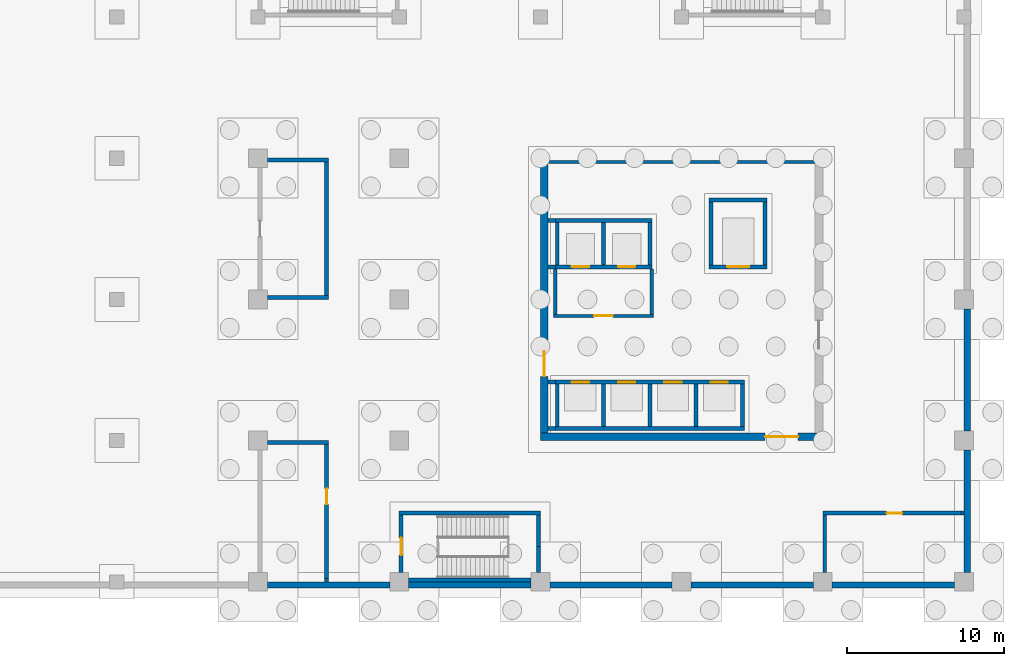
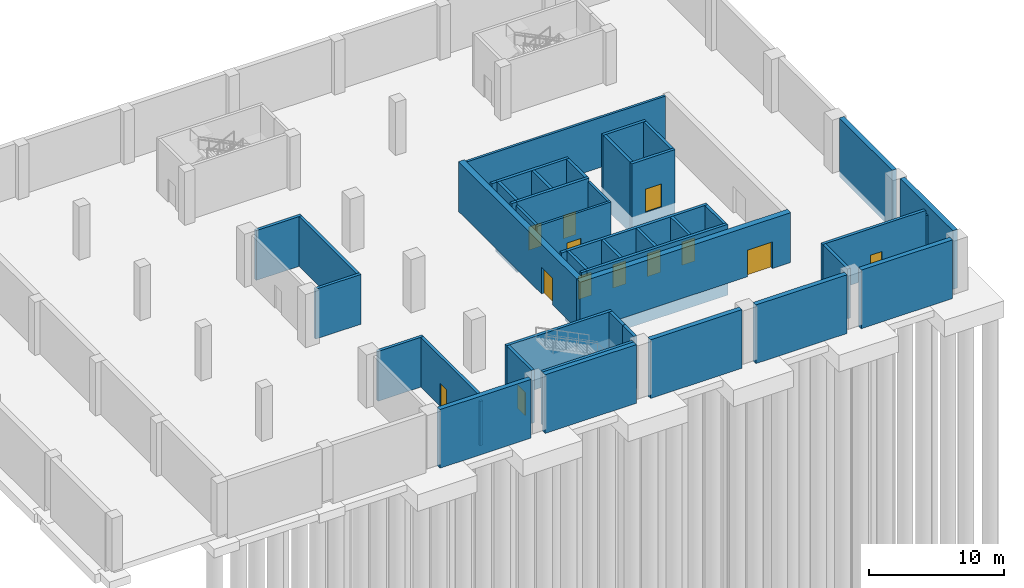
# One storey, part 12 of 17: 47 walls, 13 doors, 13 openings.
"""IFC4 building model written with IfcOpenShell, lengths in metres."""

from ifc_helpers import new_model, si_unit, direction, frame, frame_2d, origin, place, context, subcontext, project, spatial, rectangle, extrude, material, layer, layer_set, type_object, element, fill, save


model = new_model("IFC4")

# Units and contexts
model_context = context("Model", 3, precision=1e-05, world=origin(), true_north=direction((0.0, 1.0)))
body_context = subcontext(model_context, "Body", "Model", "MODEL_VIEW")
ifc_project = project(units=[si_unit("LENGTHUNIT", "METRE"), si_unit("AREAUNIT", "SQUARE_METRE"), si_unit("VOLUMEUNIT", "CUBIC_METRE"), si_unit("PLANEANGLEUNIT", "RADIAN"), si_unit("MASSUNIT", "GRAM", prefix="KILO")], contexts=[model_context])

# Site, building, storey
site_placement = place(None, origin())
site = spatial("IfcSite", under=ifc_project, at=site_placement, CompositionType="ELEMENT")
building_placement = place(site_placement, origin())
building = spatial("IfcBuilding", under=site, at=building_placement, Name="Guidao Yard Department Store", CompositionType="ELEMENT")
storey_placement = place(building_placement, frame((0.0, 0.0, -9.89990234375)))
storey = spatial("IfcBuildingStorey", under=building, at=storey_placement, Name="B2", CompositionType="ELEMENT", Elevation=-9.89990234375)

# Walls
ifc_material_1 = material(Name="Concrete C40", Category="concrete")
ifc_layer_1 = layer(ifc_material_1, 0.39990234375)
ifc_layer_set_1 = layer_set([ifc_layer_1], Name="Retaining wall 400 C40")
wall_type_1 = type_object("IfcWallType", Name="Retaining wall 400 C40", PredefinedType="SOLIDWALL", material=ifc_layer_set_1)
for number, where, z_axis, x_axis, name in (
    (1, (126.60009765625, -0.199951171875, -0.5), (0.0, 0.0, 1.0), (1.0, 0.0, 0.0), "Retaining wall B2-003"),
    (2, (135.60009765625, -0.199951171875, -0.5), (0.0, 0.0, 1.0), (1.0, 0.0, 0.0), "Retaining wall B2-004"),
    (3, (144.60009765625, -0.199951171875, -0.5), (0.0, 0.0, 1.0), (1.0, 0.0, 0.0), "Retaining wall B2-005"),
    (4, (153.60009765625, -0.199951171875, -0.5), (0.0, 0.0, 1.0), (1.0, 0.0, 0.0), "Retaining wall B2-006"),
    (5, (162.60009765625, -0.199951171875, -0.5), (0.0, 0.0, 1.0), (1.0, 0.0, 0.0), "Retaining wall B2-007"),
    (6, (171.199951171875, 0.60009765625, -0.5), (0.0, 0.0, 1.0), (0.0, 1.0, 0.0), "Retaining wall B2-009"),
    (7, (171.199951171875, 9.60009765625, -0.5), (0.0, 0.0, 1.0), (0.0, 1.0, 0.0), "Retaining wall B2-011"),
):
    element("IfcWall", number, at=place(storey_placement, frame(where, z_axis=z_axis, x_axis=x_axis)), inside=storey, type_object=wall_type_1, Name=name, PredefinedType="SOLIDWALL", context=body_context, shape_type="SweptSolid", body=[
        extrude(rectangle(XDim=7.7998046875, YDim=0.39990234375, at=frame_2d((3.89990234375, 0.0))), origin(), (0.0, 0.0, 1.0), 5.2998046875),
    ])

# Wall, opening, door
ifc_material_2 = material(Name="Autoclaved aerated concrete block A3.5 B06", Category="concrete")
ifc_layer_2 = layer(ifc_material_2, 0.199951171875)
ifc_layer_set_2 = layer_set([ifc_layer_2], Name="Shaft Wall 200 Autoclaved Block EI 120")
wall_type_2 = type_object("IfcWallType", Name="Shaft Wall 200 Autoclaved Block EI 120", PredefinedType="PARTITIONING", material=ifc_layer_set_2)
wall_1_placement = place(storey_placement, frame((144.85009765625, 16.949951171875, 0.0), z_axis=(0.0, 0.0, 1.0), x_axis=(1.0, 0.0, 0.0)))
wall_1 = element("IfcWall", 8, at=wall_1_placement, inside=storey, type_object=wall_type_2, Name="pt.wall.B2.0004", PredefinedType="PARTITIONING", context=body_context, shape_type="SweptSolid", body=[
    extrude(rectangle(XDim=6.349853515625, YDim=0.199951171875, at=frame_2d((3.1748046875, 0.0))), origin(), (0.0, 0.0, 1.0), 4.5),
])
opening_1_placement = place(wall_1_placement, frame((3.77490234375, 0.0, 0.0), z_axis=(0.0, 0.0, 1.0), x_axis=(-1.0, 0.0, 0.0)))
opening_1 = element("IfcOpeningElement", 9, at=opening_1_placement, cuts=wall_1, Name="Opening B2-400", PredefinedType="OPENING", context=body_context, shape_type="SweptSolid", body=[
    extrude(rectangle(XDim=1.199951171875, YDim=2.10009765625, at=frame_2d((0.60009765625, 1.050048828125))), frame((0.0, 0.10986328125, 0.0), z_axis=(0.0, -1.0, 0.0), x_axis=(1.0, 0.0, 0.0)), (0.0, 0.0, 1.0), 0.219970703125),
])
ifc_material_3 = material(Name="Timber door leaf with Steel Q235 frame", Category="steel")
door_type_1 = type_object("IfcDoorType", Name="Door 1200 x 2100 FD60 Single Leaf", OperationType="SINGLE_SWING_LEFT", PredefinedType="DOOR", material=ifc_material_3)
door_1_placement = place(opening_1_placement, origin())
door_1 = element("IfcDoor", 10, at=door_1_placement, inside=storey, type_object=door_type_1, Name="Door B2-400", OperationType="SINGLE_SWING_LEFT", OverallHeight=2.10009765625, OverallWidth=1.199951171875, PredefinedType="DOOR", context=body_context, shape_type="SweptSolid", body=[
    extrude(rectangle(XDim=1.199951171875, YDim=2.10009765625, at=frame_2d((0.60009765625, 1.050048828125))), frame((0.0, 0.02490234375, 0.0), z_axis=(0.0, -1.0, 0.0), x_axis=(1.0, 0.0, 0.0)), (0.0, 0.0, 1.0), 0.050048828125),
])
fill(opening_1, door_1)

# Walls
wall_2_placement = place(storey_placement, frame((144.5, 26.75, 0.0), z_axis=(0.0, 0.0, 1.0), x_axis=(1.0, 0.0, 0.0)))
element("IfcWall", 11, at=wall_2_placement, inside=storey, type_object=wall_type_2, Name="pt.wall.B2.0006", PredefinedType="PARTITIONING", context=body_context, shape_type="SweptSolid", body=[
    extrude(rectangle(XDim=17.0, YDim=0.199951171875, at=frame_2d((8.5, 0.0))), origin(), (0.0, 0.0, 1.0), 4.5),
])
for number, where, z_axis, x_axis, name in (
    (12, (144.949951171875, 17.050048828125, 0.0), (0.0, 0.0, 1.0), (0.0, 1.0, 0.0), "pt.wall.B2.0073"),
    (13, (151.10009765625, 17.050048828125, 0.0), (0.0, 0.0, 1.0), (0.0, 1.0, 0.0), "pt.wall.B2.0074"),
):
    element("IfcWall", number, at=place(storey_placement, frame(where, z_axis=z_axis, x_axis=x_axis)), inside=storey, type_object=wall_type_2, Name=name, PredefinedType="PARTITIONING", context=body_context, shape_type="SweptSolid", body=[
        extrude(rectangle(XDim=2.89990234375, YDim=0.199951171875, at=frame_2d((1.449951171875, 0.0))), origin(), (0.0, 0.0, 1.0), 4.5),
    ])

# Wall, opening, door
ifc_material_4 = material(Name="Concrete C60", Category="concrete")
ifc_layer_3 = layer(ifc_material_4, 0.5)
ifc_layer_set_3 = layer_set([ifc_layer_3], Name="Shear Wall 500 Concrete C60")
wall_type_3 = type_object("IfcWallType", Name="Shear Wall 500 Concrete C60", PredefinedType="SHEAR", material=ifc_layer_set_3)
wall_3_placement = place(storey_placement, frame((144.0, 9.25, 0.0), z_axis=(0.0, 0.0, 1.0), x_axis=(1.0, 0.0, 0.0)))
wall_3 = element("IfcWall", 14, at=wall_3_placement, inside=storey, type_object=wall_type_3, Name="pt.wall.B2.0003", PredefinedType="SHEAR", context=body_context, shape_type="SweptSolid", body=[
    extrude(rectangle(XDim=18.0, YDim=0.5, at=frame_2d((9.0, 0.0))), origin(), (0.0, 0.0, 1.0), 4.5),
])
opening_2_placement = place(wall_3_placement, frame((16.425048828125, 0.0, 0.0), z_axis=(0.0, 0.0, 1.0), x_axis=(-1.0, 0.0, 0.0)))
opening_2 = element("IfcOpeningElement", 15, at=opening_2_placement, cuts=wall_3, Name="Opening B2-403", PredefinedType="OPENING", context=body_context, shape_type="SweptSolid", body=[
    extrude(rectangle(XDim=2.10009765625, YDim=2.39990234375, at=frame_2d((1.050048828125, 1.199951171875))), frame((0.0, 0.260009765625, 0.0), z_axis=(0.0, -1.0, 0.0), x_axis=(1.0, 0.0, 0.0)), (0.0, 0.0, 1.0), 0.52001953125),
])
ifc_material_5 = material(Name="Timber door leaf with Steel Q235 frame", Category="steel")
door_type_2 = type_object("IfcDoorType", Name="Door 2100 x 2400 FD60 Double Leaf", OperationType="DOUBLE_DOOR_SINGLE_SWING", PredefinedType="DOOR", material=ifc_material_5)
door_2_placement = place(opening_2_placement, origin())
door_2 = element("IfcDoor", 16, at=door_2_placement, inside=storey, type_object=door_type_2, Name="Door B2-403", OperationType="DOUBLE_DOOR_SINGLE_SWING", OverallHeight=2.39990234375, OverallWidth=2.10009765625, PredefinedType="DOOR", context=body_context, shape_type="SweptSolid", body=[
    extrude(rectangle(XDim=2.10009765625, YDim=2.39990234375, at=frame_2d((1.050048828125, 1.199951171875))), frame((0.0, 0.02490234375, 0.0), z_axis=(0.0, -1.0, 0.0), x_axis=(1.0, 0.0, 0.0)), (0.0, 0.0, 1.0), 0.050048828125),
])
fill(opening_2, door_2)

wall_4_placement = place(storey_placement, frame((144.25, 9.5, 0.0), z_axis=(0.0, 0.0, 1.0), x_axis=(0.0, 1.0, 0.0)))
wall_4 = element("IfcWall", 17, at=wall_4_placement, inside=storey, type_object=wall_type_3, Name="pt.wall.B2.0072", PredefinedType="SHEAR", context=body_context, shape_type="SweptSolid", body=[
    extrude(rectangle(XDim=17.5, YDim=0.5, at=frame_2d((8.75, 0.0))), origin(), (0.0, 0.0, 1.0), 4.5),
])
opening_3_placement = place(wall_4_placement, frame((3.60009765625, 0.0, 0.0)))
opening_3 = element("IfcOpeningElement", 18, at=opening_3_placement, cuts=wall_4, Name="Opening B2-401", PredefinedType="OPENING", context=body_context, shape_type="SweptSolid", body=[
    extrude(rectangle(XDim=1.60009765625, YDim=2.39990234375, at=frame_2d((0.800048828125, 1.199951171875))), frame((0.0, 0.260009765625, 0.0), z_axis=(0.0, -1.0, 0.0), x_axis=(1.0, 0.0, 0.0)), (0.0, 0.0, 1.0), 0.52001953125),
])
ifc_material_6 = material(Name="Timber door leaf with Steel Q235 frame", Category="steel")
door_type_3 = type_object("IfcDoorType", Name="Door 1600 x 2400 FD60 Double Leaf", OperationType="DOUBLE_DOOR_SINGLE_SWING", PredefinedType="DOOR", material=ifc_material_6)
door_3_placement = place(opening_3_placement, origin())
door_3 = element("IfcDoor", 19, at=door_3_placement, inside=storey, type_object=door_type_3, Name="Door B2-401", OperationType="DOUBLE_DOOR_SINGLE_SWING", OverallHeight=2.39990234375, OverallWidth=1.60009765625, PredefinedType="DOOR", context=body_context, shape_type="SweptSolid", body=[
    extrude(rectangle(XDim=1.60009765625, YDim=2.39990234375, at=frame_2d((0.800048828125, 1.199951171875))), frame((0.0, 0.02490234375, 0.0), z_axis=(0.0, -1.0, 0.0), x_axis=(1.0, 0.0, 0.0)), (0.0, 0.0, 1.0), 0.050048828125),
])
fill(opening_3, door_3)

ifc_material_7 = material(Name="Concrete C40", Category="concrete")
ifc_layer_4 = layer(ifc_material_7, 0.25)
ifc_layer_set_4 = layer_set([ifc_layer_4], Name="Support Wall 250 Concrete C40")
wall_type_4 = type_object("IfcWallType", Name="Support Wall 250 Concrete C40", PredefinedType="SOLIDWALL", material=ifc_layer_set_4)
wall_5_placement = place(storey_placement, frame((162.0, 4.375, 0.0), z_axis=(0.0, 0.0, 1.0), x_axis=(1.0, 0.0, 0.0)))
wall_5 = element("IfcWall", 20, at=wall_5_placement, inside=storey, type_object=wall_type_4, Name="pt.wall.B2.0001", PredefinedType="SOLIDWALL", context=body_context, shape_type="SweptSolid", body=[
    extrude(rectangle(XDim=8.800048828125, YDim=0.25, at=frame_2d((4.39990234375, 0.0))), origin(), (0.0, 0.0, 1.0), 4.5),
])
opening_4_placement = place(wall_5_placement, frame((5.0625, 0.0, 0.0), z_axis=(0.0, 0.0, 1.0), x_axis=(-1.0, 0.0, 0.0)))
opening_4 = element("IfcOpeningElement", 21, at=opening_4_placement, cuts=wall_5, Name="Opening B2-417", PredefinedType="OPENING", context=body_context, shape_type="SweptSolid", body=[
    extrude(rectangle(XDim=1.0, YDim=2.10009765625, at=frame_2d((0.5, 1.050048828125))), frame((0.0, 0.135009765625, 0.0), z_axis=(0.0, -1.0, 0.0), x_axis=(1.0, 0.0, 0.0)), (0.0, 0.0, 1.0), 0.27001953125),
])
ifc_material_8 = material(Name="Timber door leaf with Steel Q235 frame", Category="steel")
door_type_4 = type_object("IfcDoorType", Name="Door 1000 x 2100 FD60 Single Leaf", OperationType="SINGLE_SWING_LEFT", PredefinedType="DOOR", material=ifc_material_8)
door_4_placement = place(opening_4_placement, origin())
door_4 = element("IfcDoor", 22, at=door_4_placement, inside=storey, type_object=door_type_4, Name="Door B2-417", OperationType="SINGLE_SWING_LEFT", OverallHeight=2.10009765625, OverallWidth=1.0, PredefinedType="DOOR", context=body_context, shape_type="SweptSolid", body=[
    extrude(rectangle(XDim=1.0, YDim=2.10009765625, at=frame_2d((0.5, 1.050048828125))), frame((0.0, 0.02490234375, 0.0), z_axis=(0.0, -1.0, 0.0), x_axis=(1.0, 0.0, 0.0)), (0.0, 0.0, 1.0), 0.050048828125),
])
fill(opening_4, door_4)

# Walls
wall_6_placement = place(storey_placement, frame((170.800048828125, 4.375, 0.0), z_axis=(0.0, 0.0, 1.0), x_axis=(1.0, 0.0, 0.0)))
element("IfcWall", 23, at=wall_6_placement, inside=storey, type_object=wall_type_4, Name="pt.wall.B2.0001a", PredefinedType="SOLIDWALL", context=body_context, shape_type="SweptSolid", body=[
    extrude(rectangle(XDim=0.199951171875, YDim=0.25, at=frame_2d((0.10009765625, 0.0))), origin(), (0.0, 0.0, 1.0), 4.0),
])
for number, where, z_axis, x_axis, name in (
    (24, (126.60009765625, 8.875, 0.0), (0.0, 0.0, 1.0), (1.0, 0.0, 0.0), "pt.wall.B2.0002"),
    (25, (126.60009765625, 18.125, 0.0), (0.0, 0.0, 1.0), (1.0, 0.0, 0.0), "pt.wall.B2.0005"),
    (26, (126.60009765625, 26.875, 0.0), (0.0, 0.0, 1.0), (1.0, 0.0, 0.0), "pt.wall.B2.0007"),
):
    element("IfcWall", number, at=place(storey_placement, frame(where, z_axis=z_axis, x_axis=x_axis)), inside=storey, type_object=wall_type_4, Name=name, PredefinedType="SOLIDWALL", context=body_context, shape_type="SweptSolid", body=[
        extrude(rectangle(XDim=3.89990234375, YDim=0.25, at=frame_2d((1.949951171875, 0.0))), origin(), (0.0, 0.0, 1.0), 4.5),
    ])
wall_7_placement = place(storey_placement, frame((130.375, 0.0, 0.0), z_axis=(0.0, 0.0, 1.0), x_axis=(0.0, 1.0, 0.0)))
element("IfcWall", 27, at=wall_7_placement, inside=storey, type_object=wall_type_4, Name="pt.wall.B2.0070", PredefinedType="SOLIDWALL", context=body_context, shape_type="SweptSolid", body=[
    extrude(rectangle(XDim=0.199951171875, YDim=0.25, at=frame_2d((0.10009765625, 0.0))), origin(), (0.0, 0.0, 1.0), 4.0),
])

# Wall, opening, door
wall_8_placement = place(storey_placement, frame((130.375, 0.199951171875, 0.0), z_axis=(0.0, 0.0, 1.0), x_axis=(0.0, 1.0, 0.0)))
wall_8 = element("IfcWall", 28, at=wall_8_placement, inside=storey, type_object=wall_type_4, Name="pt.wall.B2.0070a", PredefinedType="SOLIDWALL", context=body_context, shape_type="SweptSolid", body=[
    extrude(rectangle(XDim=8.550048828125, YDim=0.25, at=frame_2d((4.27490234375, 0.0))), origin(), (0.0, 0.0, 1.0), 4.5),
])
opening_5_placement = place(wall_8_placement, frame((4.737548828125, 0.0, 0.0)))
opening_5 = element("IfcOpeningElement", 29, at=opening_5_placement, cuts=wall_8, Name="Opening B2-416", PredefinedType="OPENING", context=body_context, shape_type="SweptSolid", body=[
    extrude(rectangle(XDim=1.0, YDim=2.10009765625, at=frame_2d((0.5, 1.050048828125))), frame((0.0, 0.135009765625, 0.0), z_axis=(0.0, -1.0, 0.0), x_axis=(1.0, 0.0, 0.0)), (0.0, 0.0, 1.0), 0.27001953125),
])
door_5_placement = place(opening_5_placement, origin())
door_5 = element("IfcDoor", 30, at=door_5_placement, inside=storey, type_object=door_type_4, Name="Door B2-416", OperationType="SINGLE_SWING_RIGHT", OverallHeight=2.10009765625, OverallWidth=1.0, PredefinedType="DOOR", context=body_context, shape_type="SweptSolid", body=[
    extrude(rectangle(XDim=1.0, YDim=2.10009765625, at=frame_2d((0.5, 1.050048828125))), frame((0.0, 0.02490234375, 0.0), z_axis=(0.0, -1.0, 0.0), x_axis=(1.0, 0.0, 0.0)), (0.0, 0.0, 1.0), 0.050048828125),
])
fill(opening_5, door_5)

# Walls
wall_9_placement = place(storey_placement, frame((130.375, 18.25, 0.0), z_axis=(0.0, 0.0, 1.0), x_axis=(0.0, 1.0, 0.0)))
element("IfcWall", 31, at=wall_9_placement, inside=storey, type_object=wall_type_4, Name="pt.wall.B2.0071", PredefinedType="SOLIDWALL", context=body_context, shape_type="SweptSolid", body=[
    extrude(rectangle(XDim=8.5, YDim=0.25, at=frame_2d((4.25, 0.0))), origin(), (0.0, 0.0, 1.0), 4.5),
])
wall_10_placement = place(storey_placement, frame((162.125, 0.60009765625, 0.0), z_axis=(0.0, 0.0, 1.0), x_axis=(0.0, 1.0, 0.0)))
element("IfcWall", 32, at=wall_10_placement, inside=storey, type_object=wall_type_4, Name="pt.wall.B2.0076", PredefinedType="SOLIDWALL", context=body_context, shape_type="SweptSolid", body=[
    extrude(rectangle(XDim=3.64990234375, YDim=0.25, at=frame_2d((1.824951171875, 0.0))), origin(), (0.0, 0.0, 1.0), 4.5),
])
ifc_material_9 = material(Name="Concrete C40", Category="concrete")
ifc_layer_5 = layer(ifc_material_9, 0.25)
ifc_layer_set_5 = layer_set([ifc_layer_5], Name="Wall RC 250 C40 stair and shaft")
wall_type_5 = type_object("IfcWallType", Name="Wall RC 250 C40 stair and shaft", PredefinedType="SHEAR", material=ifc_layer_set_5)
wall_11_placement = place(storey_placement, frame((135.60009765625, 0.125, 0.0), z_axis=(0.0, 0.0, 1.0), x_axis=(1.0, 0.0, 0.0)))
element("IfcWall", 33, at=wall_11_placement, inside=storey, type_object=wall_type_5, Name="Stair wall BSO1", PredefinedType="SHEAR", context=body_context, shape_type="SweptSolid", body=[
    extrude(rectangle(XDim=7.7998046875, YDim=0.25, at=frame_2d((3.89990234375, 0.0))), origin(), (0.0, 0.0, 1.0), 4.7998046875),
])
wall_12_placement = place(storey_placement, frame((135.0, 4.375, 0.0), z_axis=(0.0, 0.0, 1.0), x_axis=(1.0, 0.0, 0.0)))
element("IfcWall", 34, at=wall_12_placement, inside=storey, type_object=wall_type_5, Name="Stair wall BSO1", PredefinedType="SHEAR", context=body_context, shape_type="SweptSolid", body=[
    extrude(rectangle(XDim=9.0, YDim=0.25, at=frame_2d((4.5, 0.0))), origin(), (0.0, 0.0, 1.0), 4.7998046875),
])

# Wall, opening, door
wall_13_placement = place(storey_placement, frame((135.125, 0.60009765625, 0.0), z_axis=(0.0, 0.0, 1.0), x_axis=(0.0, 1.0, 0.0)))
wall_13 = element("IfcWall", 35, at=wall_13_placement, inside=storey, type_object=wall_type_5, Name="Stair wall BSO1", PredefinedType="SHEAR", context=body_context, shape_type="SweptSolid", body=[
    extrude(rectangle(XDim=3.64990234375, YDim=0.25, at=frame_2d((1.824951171875, 0.0))), origin(), (0.0, 0.0, 1.0), 4.7998046875),
])
opening_6_placement = place(wall_13_placement, frame((2.2001953125, 0.0, 0.0), z_axis=(0.0, 0.0, 1.0), x_axis=(-1.0, 0.0, 0.0)))
opening_6 = element("IfcOpeningElement", 36, at=opening_6_placement, cuts=wall_13, Name="Opening B2-805", PredefinedType="OPENING", context=body_context, shape_type="SweptSolid", body=[
    extrude(rectangle(XDim=1.10009765625, YDim=2.10009765625, at=frame_2d((0.550048828125, 1.050048828125))), frame((0.0, 0.135009765625, 0.0), z_axis=(0.0, -1.0, 0.0), x_axis=(1.0, 0.0, 0.0)), (0.0, 0.0, 1.0), 0.27001953125),
])
ifc_material_10 = material(Name="Steel Q235", Category="steel")
door_type_5 = type_object("IfcDoorType", Name="Door fire-resisting 1100 x 2100 FD60", OperationType="SINGLE_SWING_LEFT", PredefinedType="DOOR", material=ifc_material_10)
door_6_placement = place(opening_6_placement, origin())
door_6 = element("IfcDoor", 37, at=door_6_placement, inside=storey, type_object=door_type_5, Name="Basement stair O1 door B2", OperationType="SINGLE_SWING_RIGHT", OverallHeight=2.10009765625, OverallWidth=1.10009765625, PredefinedType="DOOR", context=body_context, shape_type="SweptSolid", body=[
    extrude(rectangle(XDim=1.10009765625, YDim=2.10009765625, at=frame_2d((0.550048828125, 1.050048828125))), frame((0.0, 0.02490234375, 0.0), z_axis=(0.0, -1.0, 0.0), x_axis=(1.0, 0.0, 0.0)), (0.0, 0.0, 1.0), 0.050048828125),
])
fill(opening_6, door_6)

# Walls
wall_14_placement = place(storey_placement, frame((143.875, 0.60009765625, 0.0), z_axis=(0.0, 0.0, 1.0), x_axis=(0.0, 1.0, 0.0)))
element("IfcWall", 38, at=wall_14_placement, inside=storey, type_object=wall_type_5, Name="Stair wall BSO1", PredefinedType="SHEAR", context=body_context, shape_type="SweptSolid", body=[
    extrude(rectangle(XDim=1.64990234375, YDim=0.25, at=frame_2d((0.824951171875, 0.0))), origin(), (0.0, 0.0, 1.0), 4.7998046875),
])
wall_15_placement = place(storey_placement, frame((143.875, 2.25, 0.0), z_axis=(0.0, 0.0, 1.0), x_axis=(0.0, 1.0, 0.0)))
element("IfcWall", 39, at=wall_15_placement, inside=storey, type_object=wall_type_5, Name="Stair wall BSO1", PredefinedType="SHEAR", context=body_context, shape_type="SweptSolid", body=[
    extrude(rectangle(XDim=2.0, YDim=0.25, at=frame_2d((1.0, 0.0))), origin(), (0.0, 0.0, 1.0), 4.7998046875),
])

# Wall, openings, doors
wall_16_placement = place(storey_placement, frame((144.949951171875, 12.72509765625, -1.60009765625), z_axis=(0.0, 0.0, 1.0), x_axis=(1.0, 0.0, 0.0)))
wall_16 = element("IfcWall", 40, at=wall_16_placement, inside=storey, type_object=wall_type_5, Name="Lift shaft wall OL1 to OL4", PredefinedType="SHEAR", context=body_context, shape_type="SweptSolid", body=[
    extrude(rectangle(XDim=12.050048828125, YDim=0.25, at=frame_2d((6.02490234375, 0.0))), origin(), (0.0, 0.0, 1.0), 6.39990234375),
])
opening_7_placement = place(wall_16_placement, frame((1.050048828125, 0.0, 1.60009765625)))
opening_7 = element("IfcOpeningElement", 41, at=opening_7_placement, cuts=wall_16, Name="Opening LD-OL1-B2", PredefinedType="OPENING", context=body_context, shape_type="SweptSolid", body=[
    extrude(rectangle(XDim=1.10009765625, YDim=2.10009765625, at=frame_2d((0.550048828125, 1.050048828125))), frame((0.0, 0.135009765625, 0.0), z_axis=(0.0, -1.0, 0.0), x_axis=(1.0, 0.0, 0.0)), (0.0, 0.0, 1.0), 0.27001953125),
])
opening_8_placement = place(wall_16_placement, frame((4.0, 0.0, 1.60009765625)))
opening_8 = element("IfcOpeningElement", 42, at=opening_8_placement, cuts=wall_16, Name="Opening LD-OL2-B2", PredefinedType="OPENING", context=body_context, shape_type="SweptSolid", body=[
    extrude(rectangle(XDim=1.10009765625, YDim=2.10009765625, at=frame_2d((0.550048828125, 1.050048828125))), frame((0.0, 0.135009765625, 0.0), z_axis=(0.0, -1.0, 0.0), x_axis=(1.0, 0.0, 0.0)), (0.0, 0.0, 1.0), 0.27001953125),
])
opening_9_placement = place(wall_16_placement, frame((6.949951171875, 0.0, 1.60009765625)))
opening_9 = element("IfcOpeningElement", 43, at=opening_9_placement, cuts=wall_16, Name="Opening LD-OL3-B2", PredefinedType="OPENING", context=body_context, shape_type="SweptSolid", body=[
    extrude(rectangle(XDim=1.10009765625, YDim=2.10009765625, at=frame_2d((0.550048828125, 1.050048828125))), frame((0.0, 0.135009765625, 0.0), z_axis=(0.0, -1.0, 0.0), x_axis=(1.0, 0.0, 0.0)), (0.0, 0.0, 1.0), 0.27001953125),
])
opening_10_placement = place(wall_16_placement, frame((9.89990234375, 0.0, 1.60009765625)))
opening_10 = element("IfcOpeningElement", 44, at=opening_10_placement, cuts=wall_16, Name="Opening LD-OL4-B2", PredefinedType="OPENING", context=body_context, shape_type="SweptSolid", body=[
    extrude(rectangle(XDim=1.10009765625, YDim=2.10009765625, at=frame_2d((0.550048828125, 1.050048828125))), frame((0.0, 0.135009765625, 0.0), z_axis=(0.0, -1.0, 0.0), x_axis=(1.0, 0.0, 0.0)), (0.0, 0.0, 1.0), 0.27001953125),
])
ifc_material_11 = material(Name="Stainless steel 06Cr19Ni10", Category="steel")
door_type_6 = type_object("IfcDoorType", Name="Lift landing door fire-resisting sliding 1100 x 2100", OperationType="DOUBLE_DOOR_SLIDING", PredefinedType="DOOR", material=ifc_material_11)
door_7_placement = place(opening_7_placement, origin())
door_7 = element("IfcDoor", 45, at=door_7_placement, inside=storey, type_object=door_type_6, Name="Lift landing door OL1 B2", OperationType="DOUBLE_DOOR_SLIDING", OverallHeight=2.10009765625, OverallWidth=1.10009765625, PredefinedType="DOOR", context=body_context, shape_type="SweptSolid", body=[
    extrude(rectangle(XDim=1.10009765625, YDim=2.10009765625, at=frame_2d((0.550048828125, 1.050048828125))), frame((0.0, 0.02490234375, 0.0), z_axis=(0.0, -1.0, 0.0), x_axis=(1.0, 0.0, 0.0)), (0.0, 0.0, 1.0), 0.050048828125),
])
fill(opening_7, door_7)
door_8_placement = place(opening_8_placement, origin())
door_8 = element("IfcDoor", 46, at=door_8_placement, inside=storey, type_object=door_type_6, Name="Lift landing door OL2 B2", OperationType="DOUBLE_DOOR_SLIDING", OverallHeight=2.10009765625, OverallWidth=1.10009765625, PredefinedType="DOOR", context=body_context, shape_type="SweptSolid", body=[
    extrude(rectangle(XDim=1.10009765625, YDim=2.10009765625, at=frame_2d((0.550048828125, 1.050048828125))), frame((0.0, 0.02490234375, 0.0), z_axis=(0.0, -1.0, 0.0), x_axis=(1.0, 0.0, 0.0)), (0.0, 0.0, 1.0), 0.050048828125),
])
fill(opening_8, door_8)
door_9_placement = place(opening_9_placement, origin())
door_9 = element("IfcDoor", 47, at=door_9_placement, inside=storey, type_object=door_type_6, Name="Lift landing door OL3 B2", OperationType="DOUBLE_DOOR_SLIDING", OverallHeight=2.10009765625, OverallWidth=1.10009765625, PredefinedType="DOOR", context=body_context, shape_type="SweptSolid", body=[
    extrude(rectangle(XDim=1.10009765625, YDim=2.10009765625, at=frame_2d((0.550048828125, 1.050048828125))), frame((0.0, 0.02490234375, 0.0), z_axis=(0.0, -1.0, 0.0), x_axis=(1.0, 0.0, 0.0)), (0.0, 0.0, 1.0), 0.050048828125),
])
fill(opening_9, door_9)
door_10_placement = place(opening_10_placement, origin())
door_10 = element("IfcDoor", 48, at=door_10_placement, inside=storey, type_object=door_type_6, Name="Lift landing door OL4 B2", OperationType="DOUBLE_DOOR_SLIDING", OverallHeight=2.10009765625, OverallWidth=1.10009765625, PredefinedType="DOOR", context=body_context, shape_type="SweptSolid", body=[
    extrude(rectangle(XDim=1.10009765625, YDim=2.10009765625, at=frame_2d((0.550048828125, 1.050048828125))), frame((0.0, 0.02490234375, 0.0), z_axis=(0.0, -1.0, 0.0), x_axis=(1.0, 0.0, 0.0)), (0.0, 0.0, 1.0), 0.050048828125),
])
fill(opening_10, door_10)

# Walls
wall_17_placement = place(storey_placement, frame((144.949951171875, 9.77490234375, -1.60009765625), z_axis=(0.0, 0.0, 1.0), x_axis=(1.0, 0.0, 0.0)))
element("IfcWall", 49, at=wall_17_placement, inside=storey, type_object=wall_type_5, Name="Lift shaft wall OL1 to OL4", PredefinedType="SHEAR", context=body_context, shape_type="SweptSolid", body=[
    extrude(rectangle(XDim=12.050048828125, YDim=0.25, at=frame_2d((6.02490234375, 0.0))), origin(), (0.0, 0.0, 1.0), 6.39990234375),
])
for number, where, z_axis, x_axis, name in (
    (50, (144.5, 12.72509765625, 0.0), (0.0, 0.0, 1.0), (1.0, 0.0, 0.0), "Lift shaft wall OL1 to OL4"),
    (51, (144.5, 9.77490234375, 0.0), (0.0, 0.0, 1.0), (1.0, 0.0, 0.0), "Lift shaft wall OL1 to OL4"),
):
    element("IfcWall", number, at=place(storey_placement, frame(where, z_axis=z_axis, x_axis=x_axis)), inside=storey, type_object=wall_type_5, Name=name, PredefinedType="SHEAR", context=body_context, shape_type="SweptSolid", body=[
        extrude(rectangle(XDim=0.449951171875, YDim=0.25, at=frame_2d((0.22509765625, 0.0))), origin(), (0.0, 0.0, 1.0), 4.7998046875),
    ])
for number, where, z_axis, x_axis, name in (
    (52, (145.074951171875, 9.89990234375, -1.60009765625), (0.0, 0.0, 1.0), (0.0, 1.0, 0.0), "Lift shaft wall OL1 to OL4"),
    (53, (148.02490234375, 9.89990234375, -1.60009765625), (0.0, 0.0, 1.0), (0.0, 1.0, 0.0), "Lift shaft wall OL1 to OL4"),
    (54, (150.97509765625, 9.89990234375, -1.60009765625), (0.0, 0.0, 1.0), (0.0, 1.0, 0.0), "Lift shaft wall OL1 to OL4"),
    (55, (153.925048828125, 9.89990234375, -1.60009765625), (0.0, 0.0, 1.0), (0.0, 1.0, 0.0), "Lift shaft wall OL1 to OL4"),
    (56, (156.875, 9.89990234375, -1.60009765625), (0.0, 0.0, 1.0), (0.0, 1.0, 0.0), "Lift shaft wall OL1 to OL4"),
):
    element("IfcWall", number, at=place(storey_placement, frame(where, z_axis=z_axis, x_axis=x_axis)), inside=storey, type_object=wall_type_5, Name=name, PredefinedType="SHEAR", context=body_context, shape_type="SweptSolid", body=[
        extrude(rectangle(XDim=2.7001953125, YDim=0.25, at=frame_2d((1.35009765625, 0.0))), origin(), (0.0, 0.0, 1.0), 6.39990234375),
    ])

# Wall, openings, doors
wall_18_placement = place(storey_placement, frame((144.949951171875, 20.074951171875, -1.60009765625), z_axis=(0.0, 0.0, 1.0), x_axis=(1.0, 0.0, 0.0)))
wall_18 = element("IfcWall", 57, at=wall_18_placement, inside=storey, type_object=wall_type_5, Name="Lift shaft wall OF1 to OF2", PredefinedType="SHEAR", context=body_context, shape_type="SweptSolid", body=[
    extrude(rectangle(XDim=6.150146484375, YDim=0.25, at=frame_2d((3.0751953125, 0.0))), origin(), (0.0, 0.0, 1.0), 6.39990234375),
])
opening_11_placement = place(wall_18_placement, frame((1.050048828125, 0.0, 1.60009765625)))
opening_11 = element("IfcOpeningElement", 58, at=opening_11_placement, cuts=wall_18, Name="Opening LD-OF1-B2", PredefinedType="OPENING", context=body_context, shape_type="SweptSolid", body=[
    extrude(rectangle(XDim=1.10009765625, YDim=2.10009765625, at=frame_2d((0.550048828125, 1.050048828125))), frame((0.0, 0.135009765625, 0.0), z_axis=(0.0, -1.0, 0.0), x_axis=(1.0, 0.0, 0.0)), (0.0, 0.0, 1.0), 0.27001953125),
])
opening_12_placement = place(wall_18_placement, frame((4.0, 0.0, 1.60009765625)))
opening_12 = element("IfcOpeningElement", 59, at=opening_12_placement, cuts=wall_18, Name="Opening LD-OF2-B2", PredefinedType="OPENING", context=body_context, shape_type="SweptSolid", body=[
    extrude(rectangle(XDim=1.10009765625, YDim=2.10009765625, at=frame_2d((0.550048828125, 1.050048828125))), frame((0.0, 0.135009765625, 0.0), z_axis=(0.0, -1.0, 0.0), x_axis=(1.0, 0.0, 0.0)), (0.0, 0.0, 1.0), 0.27001953125),
])
door_11_placement = place(opening_11_placement, origin())
door_11 = element("IfcDoor", 60, at=door_11_placement, inside=storey, type_object=door_type_6, Name="Lift landing door OF1 B2", OperationType="DOUBLE_DOOR_SLIDING", OverallHeight=2.10009765625, OverallWidth=1.10009765625, PredefinedType="DOOR", context=body_context, shape_type="SweptSolid", body=[
    extrude(rectangle(XDim=1.10009765625, YDim=2.10009765625, at=frame_2d((0.550048828125, 1.050048828125))), frame((0.0, 0.02490234375, 0.0), z_axis=(0.0, -1.0, 0.0), x_axis=(1.0, 0.0, 0.0)), (0.0, 0.0, 1.0), 0.050048828125),
])
fill(opening_11, door_11)
door_12_placement = place(opening_12_placement, origin())
door_12 = element("IfcDoor", 61, at=door_12_placement, inside=storey, type_object=door_type_6, Name="Lift landing door OF2 B2", OperationType="DOUBLE_DOOR_SLIDING", OverallHeight=2.10009765625, OverallWidth=1.10009765625, PredefinedType="DOOR", context=body_context, shape_type="SweptSolid", body=[
    extrude(rectangle(XDim=1.10009765625, YDim=2.10009765625, at=frame_2d((0.550048828125, 1.050048828125))), frame((0.0, 0.02490234375, 0.0), z_axis=(0.0, -1.0, 0.0), x_axis=(1.0, 0.0, 0.0)), (0.0, 0.0, 1.0), 0.050048828125),
])
fill(opening_12, door_12)

# Walls
wall_19_placement = place(storey_placement, frame((144.949951171875, 23.02490234375, -1.60009765625), z_axis=(0.0, 0.0, 1.0), x_axis=(1.0, 0.0, 0.0)))
element("IfcWall", 62, at=wall_19_placement, inside=storey, type_object=wall_type_5, Name="Lift shaft wall OF1 to OF2", PredefinedType="SHEAR", context=body_context, shape_type="SweptSolid", body=[
    extrude(rectangle(XDim=6.150146484375, YDim=0.25, at=frame_2d((3.0751953125, 0.0))), origin(), (0.0, 0.0, 1.0), 6.39990234375),
])
for number, where, z_axis, x_axis, name in (
    (63, (144.5, 20.074951171875, 0.0), (0.0, 0.0, 1.0), (1.0, 0.0, 0.0), "Lift shaft wall OF1 to OF2"),
    (64, (144.5, 23.02490234375, 0.0), (0.0, 0.0, 1.0), (1.0, 0.0, 0.0), "Lift shaft wall OF1 to OF2"),
):
    element("IfcWall", number, at=place(storey_placement, frame(where, z_axis=z_axis, x_axis=x_axis)), inside=storey, type_object=wall_type_5, Name=name, PredefinedType="SHEAR", context=body_context, shape_type="SweptSolid", body=[
        extrude(rectangle(XDim=0.449951171875, YDim=0.25, at=frame_2d((0.22509765625, 0.0))), origin(), (0.0, 0.0, 1.0), 4.7998046875),
    ])
for number, where, z_axis, x_axis, name in (
    (65, (145.074951171875, 20.199951171875, -1.60009765625), (0.0, 0.0, 1.0), (0.0, 1.0, 0.0), "Lift shaft wall OF1 to OF2"),
    (66, (148.02490234375, 20.199951171875, -1.60009765625), (0.0, 0.0, 1.0), (0.0, 1.0, 0.0), "Lift shaft wall OF1 to OF2"),
    (67, (150.97509765625, 20.199951171875, -1.60009765625), (0.0, 0.0, 1.0), (0.0, 1.0, 0.0), "Lift shaft wall OF1 to OF2"),
):
    element("IfcWall", number, at=place(storey_placement, frame(where, z_axis=z_axis, x_axis=x_axis)), inside=storey, type_object=wall_type_5, Name=name, PredefinedType="SHEAR", context=body_context, shape_type="SweptSolid", body=[
        extrude(rectangle(XDim=2.699951171875, YDim=0.25, at=frame_2d((1.35009765625, 0.0))), origin(), (0.0, 0.0, 1.0), 6.39990234375),
    ])

# Wall, opening, door
wall_20_placement = place(storey_placement, frame((154.75, 20.074951171875, -1.60009765625), z_axis=(0.0, 0.0, 1.0), x_axis=(1.0, 0.0, 0.0)))
wall_20 = element("IfcWall", 68, at=wall_20_placement, inside=storey, type_object=wall_type_5, Name="Lift shaft wall OS1", PredefinedType="SHEAR", context=body_context, shape_type="SweptSolid", body=[
    extrude(rectangle(XDim=3.699951171875, YDim=0.25, at=frame_2d((1.85009765625, 0.0))), origin(), (0.0, 0.0, 1.0), 6.39990234375),
])
opening_13_placement = place(wall_20_placement, frame((1.14990234375, 0.0, 1.60009765625)))
opening_13 = element("IfcOpeningElement", 69, at=opening_13_placement, cuts=wall_20, Name="Opening LD-OS1-B2", PredefinedType="OPENING", context=body_context, shape_type="SweptSolid", body=[
    extrude(rectangle(XDim=1.39990234375, YDim=2.10009765625, at=frame_2d((0.699951171875, 1.050048828125))), frame((0.0, 0.135009765625, 0.0), z_axis=(0.0, -1.0, 0.0), x_axis=(1.0, 0.0, 0.0)), (0.0, 0.0, 1.0), 0.27001953125),
])
ifc_material_12 = material(Name="Stainless steel 06Cr19Ni10", Category="steel")
door_type_7 = type_object("IfcDoorType", Name="Lift landing door fire-resisting sliding 1400 x 2100", OperationType="DOUBLE_DOOR_SLIDING", PredefinedType="DOOR", material=ifc_material_12)
door_13_placement = place(opening_13_placement, origin())
door_13 = element("IfcDoor", 70, at=door_13_placement, inside=storey, type_object=door_type_7, Name="Lift landing door OS1 B2", OperationType="DOUBLE_DOOR_SLIDING", OverallHeight=2.10009765625, OverallWidth=1.39990234375, PredefinedType="DOOR", context=body_context, shape_type="SweptSolid", body=[
    extrude(rectangle(XDim=1.39990234375, YDim=2.10009765625, at=frame_2d((0.699951171875, 1.050048828125))), frame((0.0, 0.02490234375, 0.0), z_axis=(0.0, -1.0, 0.0), x_axis=(1.0, 0.0, 0.0)), (0.0, 0.0, 1.0), 0.050048828125),
])
fill(opening_13, door_13)

# Walls
wall_21_placement = place(storey_placement, frame((154.75, 24.324951171875, -1.60009765625), z_axis=(0.0, 0.0, 1.0), x_axis=(1.0, 0.0, 0.0)))
element("IfcWall", 71, at=wall_21_placement, inside=storey, type_object=wall_type_5, Name="Lift shaft wall OS1", PredefinedType="SHEAR", context=body_context, shape_type="SweptSolid", body=[
    extrude(rectangle(XDim=3.699951171875, YDim=0.25, at=frame_2d((1.85009765625, 0.0))), origin(), (0.0, 0.0, 1.0), 6.39990234375),
])
for number, where, z_axis, x_axis, name in (
    (72, (154.875, 20.199951171875, -1.60009765625), (0.0, 0.0, 1.0), (0.0, 1.0, 0.0), "Lift shaft wall OS1"),
    (73, (158.324951171875, 20.199951171875, -1.60009765625), (0.0, 0.0, 1.0), (0.0, 1.0, 0.0), "Lift shaft wall OS1"),
):
    element("IfcWall", number, at=place(storey_placement, frame(where, z_axis=z_axis, x_axis=x_axis)), inside=storey, type_object=wall_type_5, Name=name, PredefinedType="SHEAR", context=body_context, shape_type="SweptSolid", body=[
        extrude(rectangle(XDim=4.0, YDim=0.25, at=frame_2d((2.0, 0.0))), origin(), (0.0, 0.0, 1.0), 6.39990234375),
    ])

save(model, "model.ifc")
